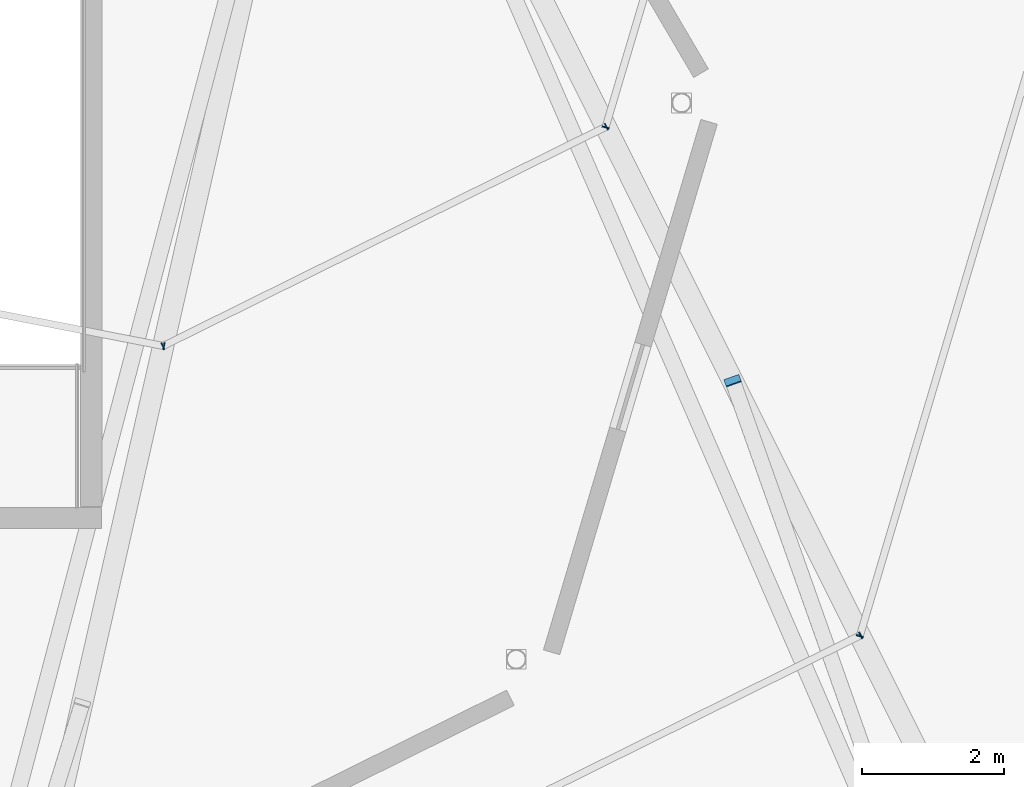
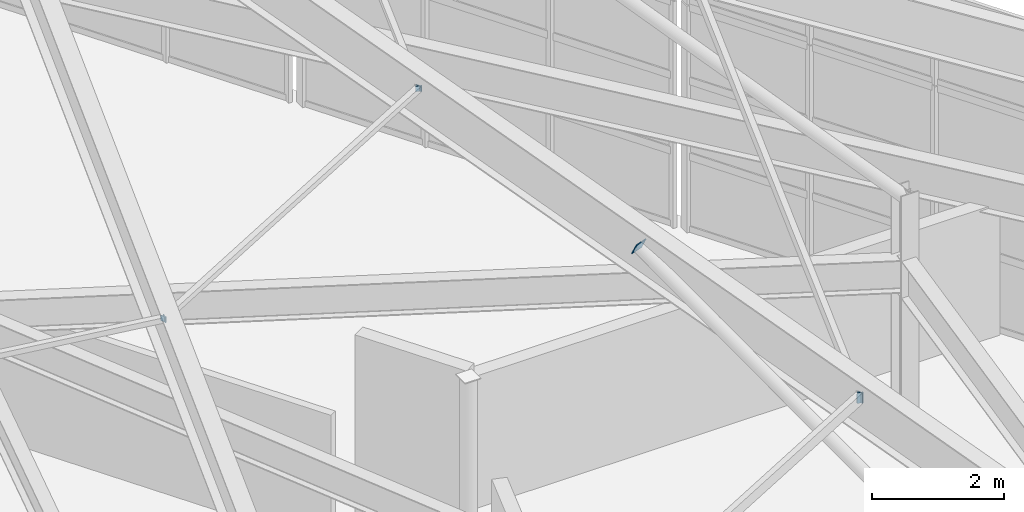
# One storey, part 33 of 50: 7 plates.
"""IFC4 building model written with IfcOpenShell, lengths in metres."""

from ifc_helpers import new_model, si_unit, direction, frame, origin, origin_2d, place, context, subcontext, project, spatial, rectangle, extrude, material, layer, layer_set, type_object, element, save


model = new_model("IFC4")

# Units and contexts
model_context = context("Model", 3, precision=1e-05, world=origin(), true_north=direction((0.0, 1.0)))
body_context = subcontext(model_context, "Body", "Model", "MODEL_VIEW")
ifc_project = project(units=[si_unit("LENGTHUNIT", "METRE"), si_unit("AREAUNIT", "SQUARE_METRE"), si_unit("VOLUMEUNIT", "CUBIC_METRE"), si_unit("PLANEANGLEUNIT", "RADIAN"), si_unit("MASSUNIT", "GRAM", prefix="KILO")], contexts=[model_context])

# Site, building, storey
site_placement = place(None, origin())
site = spatial("IfcSite", under=ifc_project, at=site_placement, CompositionType="ELEMENT")
building_placement = place(site_placement, origin())
building = spatial("IfcBuilding", under=site, at=building_placement, Name="Sarnbrook Museum", CompositionType="ELEMENT")
storey_placement = place(building_placement, frame((0.0, 0.0, 28.10009765625)))
storey = spatial("IfcBuildingStorey", under=building, at=storey_placement, Name="L05", CompositionType="ELEMENT", Elevation=28.10009765625)

# Plates
ifc_material = material(Name="Structural Steel Grade 350L0 (AS/NZS 3678, fy = 340 MPa for 20 < t <= 40 mm)", Category="steel")
ifc_layer_1 = layer(ifc_material, 0.01611328125)
ifc_layer_set_1 = layer_set([ifc_layer_1], Name="Structural Steel Grade 350L0 (AS/NZS 3678, fy = 340 MPa for 20 < t <= 40 mm)")
plate_type_1 = type_object("IfcPlateType", Name="EndCapPlate_CAP100", PredefinedType="USERDEFINED", material=ifc_layer_set_1)
for number, where, z_axis, x_axis, name in (
    (1, (147.068115234375, 82.779052734375, 10.02490234375), (0.981287374428, -0.191269718589, 0.022158148389), (0.191316691028, 0.981528361146, 0.0), "Hollow End Cap Plate CRPR:1:2-2"),
    (2, (147.0537109375, 82.771728515625, 10.0244140625), (0.89577596766, 0.443541507074, 0.029263411728), (-0.443731541913, 0.896159761824, 0.0), "Hollow End Cap Plate CRPR:2:2-1"),
    (3, (153.3125, 85.870849609375, 10.22900390625), (0.89577596766, 0.443541507074, 0.029263411728), (-0.443731541913, 0.896159761824, 0.0), "Hollow End Cap Plate CRPR:2:2-2"),
    (4, (153.30810546875, 85.85546875, 10.228271484375), (0.28441749825, 0.958068422275, 0.034807828566), (-0.958649340833, 0.28458995295, 0.0), "Hollow End Cap Plate CRPR:3:2-1"),
):
    element("IfcPlate", number, at=place(storey_placement, frame(where, z_axis=z_axis, x_axis=x_axis)), inside=storey, type_object=plate_type_1, Name=name, ObjectType="END CAP PLATE", PredefinedType="USERDEFINED", context=body_context, shape_type="SweptSolid", body=[
        extrude(rectangle(XDim=0.10009765625, YDim=0.10009765625, at=origin_2d()), origin(), (0.0, 0.0, 1.0), 0.01611328125),
    ])
ifc_layer_2 = layer(ifc_material, 0.01611328125)
ifc_layer_set_2 = layer_set([ifc_layer_2], Name="Structural Steel Grade 350L0 (AS/NZS 3678, fy = 340 MPa for 20 < t <= 40 mm)")
plate_type_2 = type_object("IfcPlateType", Name="EndCapPlate_CAP200x100", PredefinedType="USERDEFINED", material=ifc_layer_set_2)
for number, where, z_axis, x_axis, name in (
    (5, (156.90087890625, 78.690673828125, 7.600830078125), (0.895775455255, 0.44354253184, 0.02926356456), (-0.443732569105, 0.896159253211, 0.0), "Hollow End Cap Plate CRPR:2:1-2"),
    (6, (156.896484375, 78.67529296875, 7.600341796875), (0.284432390373, 0.95806399474, 0.034808006118), (-0.958644916545, 0.284604855865, 0.0), "Hollow End Cap Plate CRPR:3:1-1"),
):
    element("IfcPlate", number, at=place(storey_placement, frame(where, z_axis=z_axis, x_axis=x_axis)), inside=storey, type_object=plate_type_2, Name=name, ObjectType="END CAP PLATE", PredefinedType="USERDEFINED", context=body_context, shape_type="SweptSolid", body=[
        extrude(rectangle(XDim=0.10009765625, YDim=0.199951171875, at=origin_2d()), origin(), (0.0, 0.0, 1.0), 0.01611328125),
    ])
ifc_layer_3 = layer(ifc_material, 0.01611328125)
ifc_layer_set_3 = layer_set([ifc_layer_3], Name="Structural Steel Grade 350L0 (AS/NZS 3678, fy = 340 MPa for 20 < t <= 40 mm)")
plate_type_3 = type_object("IfcPlateType", Name="EndCapPlate_CAP219", PredefinedType="USERDEFINED", material=ifc_layer_set_3)
plate_placement = place(storey_placement, frame((155.10693359375, 82.28076171875, 8.844970703125), z_axis=(-0.301623282471, 0.850464017272, 0.430969083342), x_axis=(-0.942481613709, -0.334257995897, 0.0)))
element("IfcPlate", 7, at=plate_placement, inside=storey, type_object=plate_type_3, Name="Hollow End Cap Plate CRTR:WEB:3-2", ObjectType="END CAP PLATE", PredefinedType="USERDEFINED", context=body_context, shape_type="SweptSolid", body=[
    extrude(rectangle(XDim=0.22509765625, YDim=0.22509765625, at=origin_2d()), origin(), (0.0, 0.0, 1.0), 0.01611328125),
])

save(model, "model.ifc")
